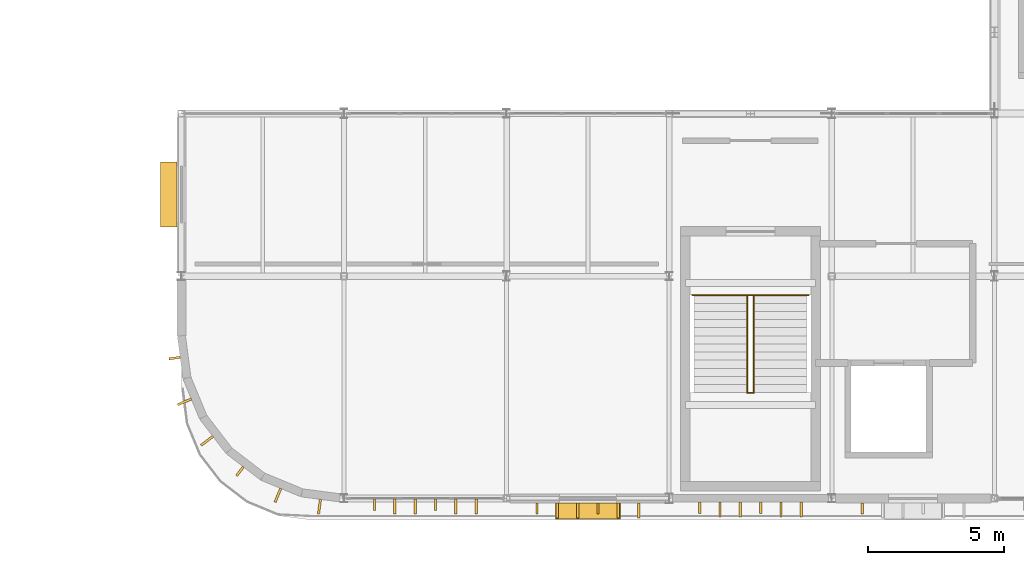
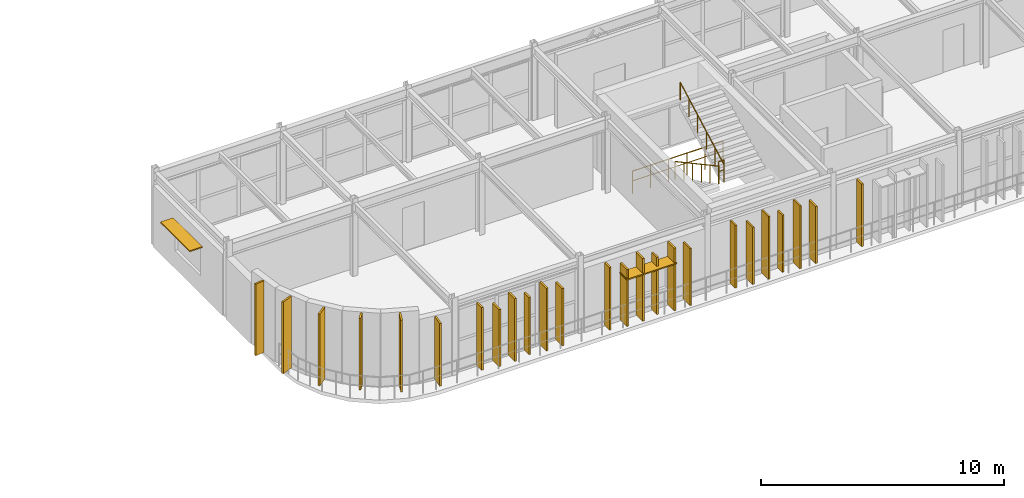
# One storey, part 59 of 63: 25 coverings, 4 railings, 2 shading devices.
"""IFC4 building model written with IfcOpenShell, lengths in metres."""

from ifc_helpers import new_model, si_unit, direction, frame, origin, origin_2d, place, context, subcontext, project, spatial, rectangle, circle, extrude, material, layer, layer_set, type_object, element, save


model = new_model("IFC4")

# Units and contexts
model_context = context("Model", 3, precision=1e-05, world=origin(), true_north=direction((0.0, 1.0)))
body_context = subcontext(model_context, "Body", "Model", "MODEL_VIEW")
ifc_project = project(units=[si_unit("LENGTHUNIT", "METRE"), si_unit("AREAUNIT", "SQUARE_METRE"), si_unit("VOLUMEUNIT", "CUBIC_METRE"), si_unit("PLANEANGLEUNIT", "RADIAN"), si_unit("MASSUNIT", "GRAM", prefix="KILO")], contexts=[model_context])

# Site, building, storey
site_placement = place(None, origin())
site = spatial("IfcSite", under=ifc_project, at=site_placement, CompositionType="ELEMENT")
building_placement = place(site_placement, origin())
building = spatial("IfcBuilding", under=site, at=building_placement, Name="Varnakota Square Police Headquarters", CompositionType="ELEMENT")
storey_placement = place(building_placement, frame((0.0, 0.0, 22.199951171875)))
storey = spatial("IfcBuildingStorey", under=building, at=storey_placement, Name="L05", CompositionType="ELEMENT", Elevation=22.199951171875)

# Coverings
ifc_material_1 = material(Name="White Anodised Aluminium Vertical Facade Blade 420", Category="aluminium")
ifc_layer_1 = layer(ifc_material_1, 0.0849609375, Name="White Anodised Aluminium Vertical Facade Blade 420")
ifc_layer_set_1 = layer_set([ifc_layer_1], Name="White Anodised Aluminium Vertical Facade Blade 420")
covering_type_1 = type_object("IfcCoveringType", Name="COV-FIN-420", PredefinedType="CLADDING", material=ifc_layer_set_1)
covering_1_placement = place(storey_placement, frame((115.125, 0.5625, 0.0400390625), z_axis=(0.0, 0.0, 1.0), x_axis=(1.0, 0.0, 0.0)))
element("IfcCovering", 1, at=covering_1_placement, inside=storey, type_object=covering_type_1, Name="Vertical aluminium facade fin FIN-0625", PredefinedType="CLADDING", context=body_context, shape_type="SweptSolid", body=[
    extrude(rectangle(XDim=0.0849609375, YDim=0.419921875, at=origin_2d()), origin(), (0.0, 0.0, 1.0), 3.14990234375),
])
covering_2_placement = place(storey_placement, frame((117.375, 0.5625, 0.0400390625), z_axis=(0.0, 0.0, 1.0), x_axis=(1.0, 0.0, 0.0)))
element("IfcCovering", 2, at=covering_2_placement, inside=storey, type_object=covering_type_1, Name="Vertical aluminium facade fin FIN-0628", PredefinedType="CLADDING", context=body_context, shape_type="SweptSolid", body=[
    extrude(rectangle(XDim=0.0849609375, YDim=0.419921875, at=origin_2d()), origin(), (0.0, 0.0, 1.0), 2.8701171875),
])
covering_3_placement = place(storey_placement, frame((121.125, 0.425048828125, 0.0400390625), z_axis=(0.0, 0.0, 1.0), x_axis=(1.0, 0.0, 0.0)))
element("IfcCovering", 3, at=covering_3_placement, inside=storey, type_object=covering_type_1, Name="Vertical aluminium facade fin FIN-0631", PredefinedType="CLADDING", context=body_context, shape_type="SweptSolid", body=[
    extrude(rectangle(XDim=0.0849609375, YDim=0.419921875, at=origin_2d()), origin(), (0.0, 0.0, 1.0), 3.14990234375),
])
covering_4_placement = place(storey_placement, frame((123.375, 0.425048828125, 0.0400390625), z_axis=(0.0, 0.0, 1.0), x_axis=(1.0, 0.0, 0.0)))
element("IfcCovering", 4, at=covering_4_placement, inside=storey, type_object=covering_type_1, Name="Vertical aluminium facade fin FIN-0634", PredefinedType="CLADDING", context=body_context, shape_type="SweptSolid", body=[
    extrude(rectangle(XDim=0.0849609375, YDim=0.419921875, at=origin_2d()), origin(), (0.0, 0.0, 1.0), 2.8701171875),
])
covering_5_placement = place(storey_placement, frame((127.125, 0.455078125, 0.0400390625), z_axis=(0.0, 0.0, 1.0), x_axis=(1.0, 0.0, 0.0)))
element("IfcCovering", 5, at=covering_5_placement, inside=storey, type_object=covering_type_1, Name="Vertical aluminium facade fin FIN-0637", PredefinedType="CLADDING", context=body_context, shape_type="SweptSolid", body=[
    extrude(rectangle(XDim=0.0849609375, YDim=0.419921875, at=origin_2d()), origin(), (0.0, 0.0, 1.0), 3.14990234375),
])
covering_6_placement = place(storey_placement, frame((129.375, 0.455078125, 0.0400390625), z_axis=(0.0, 0.0, 1.0), x_axis=(1.0, 0.0, 0.0)))
element("IfcCovering", 6, at=covering_6_placement, inside=storey, type_object=covering_type_1, Name="Vertical aluminium facade fin FIN-0640", PredefinedType="CLADDING", context=body_context, shape_type="SweptSolid", body=[
    extrude(rectangle(XDim=0.0849609375, YDim=0.419921875, at=origin_2d()), origin(), (0.0, 0.0, 1.0), 2.8701171875),
])
covering_7_placement = place(storey_placement, frame((133.125, 0.425048828125, 0.0400390625), z_axis=(0.0, 0.0, 1.0), x_axis=(1.0, 0.0, 0.0)))
element("IfcCovering", 7, at=covering_7_placement, inside=storey, type_object=covering_type_1, Name="Vertical aluminium facade fin FIN-0643", PredefinedType="CLADDING", context=body_context, shape_type="SweptSolid", body=[
    extrude(rectangle(XDim=0.0849609375, YDim=0.419921875, at=origin_2d()), origin(), (0.0, 0.0, 1.0), 3.14990234375),
])
for number, where, z_axis, x_axis, name in (
    (8, (107.750244140625, 5.977294921875, 0.0400390625), (0.0, 0.0, 1.0), (0.13052619222, -0.991444861374, 0.0), "Vertical aluminium facade fin FIN-0706"),
    (9, (110.16259765625, 1.799072265625, 0.0400390625), (0.0, 0.0, 1.0), (0.793353340291, -0.608761429009, 0.0), "Vertical aluminium facade fin FIN-0709"),
):
    element("IfcCovering", number, at=place(storey_placement, frame(where, z_axis=z_axis, x_axis=x_axis)), inside=storey, type_object=covering_type_1, Name=name, PredefinedType="CLADDING", context=body_context, shape_type="SweptSolid", body=[
        extrude(rectangle(XDim=0.0849609375, YDim=0.419921875, at=origin_2d()), origin(), (0.0, 0.0, 1.0), 3.60498046875),
    ])
ifc_material_2 = material(Name="White Anodised Aluminium Vertical Facade Blade 550", Category="aluminium")
ifc_layer_2 = layer(ifc_material_2, 0.0849609375, Name="White Anodised Aluminium Vertical Facade Blade 550")
ifc_layer_set_2 = layer_set([ifc_layer_2], Name="White Anodised Aluminium Vertical Facade Blade 550")
covering_type_2 = type_object("IfcCoveringType", Name="COV-FIN-550", PredefinedType="CLADDING", material=ifc_layer_set_2)
covering_8_placement = place(storey_placement, frame((115.875, 0.49755859375, 0.0400390625), z_axis=(0.0, 0.0, 1.0), x_axis=(1.0, 0.0, 0.0)))
element("IfcCovering", 10, at=covering_8_placement, inside=storey, type_object=covering_type_2, Name="Vertical aluminium facade fin FIN-0626", PredefinedType="CLADDING", context=body_context, shape_type="SweptSolid", body=[
    extrude(rectangle(XDim=0.0849609375, YDim=0.550048828125, at=origin_2d()), origin(), (0.0, 0.0, 1.0), 2.8701171875),
])
for number, where, z_axis, x_axis, name in (
    (11, (116.625, 0.49755859375, 0.0400390625), (0.0, 0.0, 1.0), (1.0, 0.0, 0.0), "Vertical aluminium facade fin FIN-0627"),
    (12, (118.125, 0.49755859375, 0.0400390625), (0.0, 0.0, 1.0), (1.0, 0.0, 0.0), "Vertical aluminium facade fin FIN-0629"),
):
    element("IfcCovering", number, at=place(storey_placement, frame(where, z_axis=z_axis, x_axis=x_axis)), inside=storey, type_object=covering_type_2, Name=name, PredefinedType="CLADDING", context=body_context, shape_type="SweptSolid", body=[
        extrude(rectangle(XDim=0.0849609375, YDim=0.550048828125, at=origin_2d()), origin(), (0.0, 0.0, 1.0), 3.14990234375),
    ])
for number, where, z_axis, x_axis, name in (
    (13, (118.875, 0.49755859375, 0.0400390625), (0.0, 0.0, 1.0), (1.0, 0.0, 0.0), "Vertical aluminium facade fin FIN-0630"),
    (14, (121.875, 0.360107421875, 0.0400390625), (0.0, 0.0, 1.0), (1.0, 0.0, 0.0), "Vertical aluminium facade fin FIN-0632"),
):
    element("IfcCovering", number, at=place(storey_placement, frame(where, z_axis=z_axis, x_axis=x_axis)), inside=storey, type_object=covering_type_2, Name=name, PredefinedType="CLADDING", context=body_context, shape_type="SweptSolid", body=[
        extrude(rectangle(XDim=0.0849609375, YDim=0.550048828125, at=origin_2d()), origin(), (0.0, 0.0, 1.0), 2.8701171875),
    ])
for number, where, z_axis, x_axis, name in (
    (15, (122.625, 0.360107421875, 0.0400390625), (0.0, 0.0, 1.0), (1.0, 0.0, 0.0), "Vertical aluminium facade fin FIN-0633"),
    (16, (124.125, 0.360107421875, 0.0400390625), (0.0, 0.0, 1.0), (1.0, 0.0, 0.0), "Vertical aluminium facade fin FIN-0635"),
):
    element("IfcCovering", number, at=place(storey_placement, frame(where, z_axis=z_axis, x_axis=x_axis)), inside=storey, type_object=covering_type_2, Name=name, PredefinedType="CLADDING", context=body_context, shape_type="SweptSolid", body=[
        extrude(rectangle(XDim=0.0849609375, YDim=0.550048828125, at=origin_2d()), origin(), (0.0, 0.0, 1.0), 3.14990234375),
    ])
for number, where, z_axis, x_axis, name in (
    (17, (124.875, 0.360107421875, 0.0400390625), (0.0, 0.0, 1.0), (1.0, 0.0, 0.0), "Vertical aluminium facade fin FIN-0636"),
    (18, (127.875, 0.389892578125, 0.0400390625), (0.0, 0.0, 1.0), (1.0, 0.0, 0.0), "Vertical aluminium facade fin FIN-0638"),
):
    element("IfcCovering", number, at=place(storey_placement, frame(where, z_axis=z_axis, x_axis=x_axis)), inside=storey, type_object=covering_type_2, Name=name, PredefinedType="CLADDING", context=body_context, shape_type="SweptSolid", body=[
        extrude(rectangle(XDim=0.0849609375, YDim=0.550048828125, at=origin_2d()), origin(), (0.0, 0.0, 1.0), 2.8701171875),
    ])
for number, where, z_axis, x_axis, name in (
    (19, (128.625, 0.389892578125, 0.0400390625), (0.0, 0.0, 1.0), (1.0, 0.0, 0.0), "Vertical aluminium facade fin FIN-0639"),
    (20, (130.125, 0.389892578125, 0.0400390625), (0.0, 0.0, 1.0), (1.0, 0.0, 0.0), "Vertical aluminium facade fin FIN-0641"),
):
    element("IfcCovering", number, at=place(storey_placement, frame(where, z_axis=z_axis, x_axis=x_axis)), inside=storey, type_object=covering_type_2, Name=name, PredefinedType="CLADDING", context=body_context, shape_type="SweptSolid", body=[
        extrude(rectangle(XDim=0.0849609375, YDim=0.550048828125, at=origin_2d()), origin(), (0.0, 0.0, 1.0), 3.14990234375),
    ])
covering_9_placement = place(storey_placement, frame((130.875, 0.389892578125, 0.0400390625), z_axis=(0.0, 0.0, 1.0), x_axis=(1.0, 0.0, 0.0)))
element("IfcCovering", 21, at=covering_9_placement, inside=storey, type_object=covering_type_2, Name="Vertical aluminium facade fin FIN-0642", PredefinedType="CLADDING", context=body_context, shape_type="SweptSolid", body=[
    extrude(rectangle(XDim=0.0849609375, YDim=0.550048828125, at=origin_2d()), origin(), (0.0, 0.0, 1.0), 2.8701171875),
])
for number, where, z_axis, x_axis, name in (
    (22, (108.1162109375, 4.36279296875, 0.0400390625), (0.0, 0.0, 1.0), (0.382683432365, -0.923879532511, 0.0), "Vertical aluminium facade fin FIN-0707"),
    (23, (108.947509765625, 2.923095703125, 0.0400390625), (0.0, 0.0, 1.0), (0.608761429009, -0.793353340291, 0.0), "Vertical aluminium facade fin FIN-0708"),
    (24, (111.562744140625, 0.916015625, 0.0400390625), (0.0, 0.0, 1.0), (0.923879532511, -0.382683432365, 0.0), "Vertical aluminium facade fin FIN-0710"),
):
    element("IfcCovering", number, at=place(storey_placement, frame(where, z_axis=z_axis, x_axis=x_axis)), inside=storey, type_object=covering_type_2, Name=name, PredefinedType="CLADDING", context=body_context, shape_type="SweptSolid", body=[
        extrude(rectangle(XDim=0.0849609375, YDim=0.550048828125, at=origin_2d()), origin(), (0.0, 0.0, 1.0), 3.60498046875),
    ])
covering_10_placement = place(storey_placement, frame((113.095703125, 0.495361328125, 0.0400390625), z_axis=(0.0, 0.0, 1.0), x_axis=(0.991444861374, -0.13052619222, 0.0)))
element("IfcCovering", 25, at=covering_10_placement, inside=storey, type_object=covering_type_2, Name="Vertical aluminium facade fin FIN-0711", PredefinedType="CLADDING", context=body_context, shape_type="SweptSolid", body=[
    extrude(rectangle(XDim=0.0849609375, YDim=0.550048828125, at=origin_2d()), origin(), (0.0, 0.0, 1.0), 3.14990234375),
])

# Railings
ifc_material_3 = material(Name="Brushed Stainless Steel Tubular Handrail", Category="steel")
railing_type_1 = type_object("IfcRailingType", Name="RL-HND-920", PredefinedType="HANDRAIL", material=ifc_material_3)
railing_1_placement = place(storey_placement, frame((128.8798828125, 8.300048828125, 0.0)))
element("IfcRailing", 26, at=railing_1_placement, inside=storey, type_object=railing_type_1, Name="Stair flight handrail HR-L05-011", PredefinedType="HANDRAIL", context=body_context, shape_type="SweptSolid", body=[
    extrude(circle(Radius=0.02392578125, at=origin_2d()), frame((0.0, 0.0, 0.89599609375), z_axis=(0.0, -0.879329418667, 0.476213999654), x_axis=(1.0, 0.0, 0.0)), (0.0, 0.0, 1.0), 4.0947265625),
    extrude(circle(Radius=0.02099609375, at=origin_2d()), origin(), (0.0, 0.0, 1.0), 0.871826171875),
    extrude(circle(Radius=0.02099609375, at=origin_2d()), frame((0.0, -0.72021484375, 0.389892578125)), (0.0, 0.0, 1.0), 0.871826171875),
    extrude(circle(Radius=0.02099609375, at=origin_2d()), frame((0.0, -1.440185546875, 0.780029296875)), (0.0, 0.0, 1.0), 0.871826171875),
    extrude(circle(Radius=0.02099609375, at=origin_2d()), frame((0.0, -2.160400390625, 1.169921875)), (0.0, 0.0, 1.0), 0.871826171875),
    extrude(circle(Radius=0.02099609375, at=origin_2d()), frame((0.0, -2.88037109375, 1.56005859375)), (0.0, 0.0, 1.0), 0.871826171875),
    extrude(circle(Radius=0.02099609375, at=origin_2d()), frame((0.0, -3.6005859375, 1.949951171875)), (0.0, 0.0, 1.0), 0.871826171875),
])
railing_2_placement = place(storey_placement, frame((129.1201171875, 4.699462890625, 1.949951171875)))
element("IfcRailing", 27, at=railing_2_placement, inside=storey, type_object=railing_type_1, Name="Stair flight handrail HR-L05-012", PredefinedType="HANDRAIL", context=body_context, shape_type="SweptSolid", body=[
    extrude(circle(Radius=0.02392578125, at=origin_2d()), frame((0.0, 0.0, 0.89599609375), z_axis=(0.0, 0.87930445083, 0.476260099894), x_axis=(-1.0, 0.0, 0.0)), (0.0, 0.0, 1.0), 4.0947265625),
    extrude(circle(Radius=0.02099609375, at=origin_2d()), origin(), (0.0, 0.0, 1.0), 0.871826171875),
    extrude(circle(Radius=0.02099609375, at=origin_2d()), frame((0.0, 0.72021484375, 0.39013671875)), (0.0, 0.0, 1.0), 0.871826171875),
    extrude(circle(Radius=0.02099609375, at=origin_2d()), frame((0.0, 1.440185546875, 0.780029296875)), (0.0, 0.0, 1.0), 0.871826171875),
    extrude(circle(Radius=0.02099609375, at=origin_2d()), frame((0.0, 2.160400390625, 1.170166015625)), (0.0, 0.0, 1.0), 0.871826171875),
    extrude(circle(Radius=0.02099609375, at=origin_2d()), frame((0.0, 2.88037109375, 1.56005859375)), (0.0, 0.0, 1.0), 0.871826171875),
    extrude(circle(Radius=0.02099609375, at=origin_2d()), frame((0.0, 3.6005859375, 1.9501953125)), (0.0, 0.0, 1.0), 0.871826171875),
])
ifc_material_4 = material(Name="Laminated Glass and Stainless Steel Balustrade", Category="steel")
railing_type_2 = type_object("IfcRailingType", Name="RL-INT-1150", PredefinedType="BALUSTRADE", material=ifc_material_4)
railing_3_placement = place(storey_placement, frame((126.840087890625, 8.300048828125, 0.0)))
element("IfcRailing", 28, at=railing_3_placement, inside=storey, type_object=railing_type_2, Name="Stair well safety guard C1 L05", PredefinedType="BALUSTRADE", context=body_context, shape_type="SweptSolid", body=[
    extrude(circle(Radius=0.02392578125, at=origin_2d()), frame((0.0, 0.0, 1.1259765625), z_axis=(1.0, 0.0, 0.0), x_axis=(0.0, 1.0, 0.0)), (0.0, 0.0, 1.0), 4.31982421875),
    extrude(circle(Radius=0.01806640625, at=origin_2d()), frame((0.0, 0.0, 0.63232421875), z_axis=(1.0, 0.0, 0.0), x_axis=(0.0, 1.0, 0.0)), (0.0, 0.0, 1.0), 4.31982421875),
    extrude(circle(Radius=0.02099609375, at=origin_2d()), origin(), (0.0, 0.0, 1.0), 1.101806640625),
    extrude(circle(Radius=0.02099609375, at=origin_2d()), frame((0.864013671875, 0.0, 0.0)), (0.0, 0.0, 1.0), 1.101806640625),
    extrude(circle(Radius=0.02099609375, at=origin_2d()), frame((1.72802734375, 0.0, 0.0)), (0.0, 0.0, 1.0), 1.101806640625),
    extrude(circle(Radius=0.02099609375, at=origin_2d()), frame((2.591796875, 0.0, 0.0)), (0.0, 0.0, 1.0), 1.101806640625),
    extrude(circle(Radius=0.02099609375, at=origin_2d()), frame((3.455810546875, 0.0, 0.0)), (0.0, 0.0, 1.0), 1.101806640625),
    extrude(circle(Radius=0.02099609375, at=origin_2d()), frame((4.31982421875, 0.0, 0.0)), (0.0, 0.0, 1.0), 1.101806640625),
])
railing_4_placement = place(storey_placement, frame((128.869873046875, 4.699462890625, 1.949951171875)))
element("IfcRailing", 29, at=railing_4_placement, inside=storey, type_object=railing_type_2, Name="Half-landing well guard C1 L05", PredefinedType="BALUSTRADE", context=body_context, shape_type="SweptSolid", body=[
    extrude(circle(Radius=0.02392578125, at=origin_2d()), frame((0.0, 0.0, 1.1259765625), z_axis=(1.0, 0.0, 0.0), x_axis=(0.0, 1.0, 0.0)), (0.0, 0.0, 1.0), 0.26025390625),
    extrude(circle(Radius=0.01806640625, at=origin_2d()), frame((0.0, 0.0, 0.63232421875), z_axis=(1.0, 0.0, 0.0), x_axis=(0.0, 1.0, 0.0)), (0.0, 0.0, 1.0), 0.26025390625),
    extrude(circle(Radius=0.02099609375, at=origin_2d()), origin(), (0.0, 0.0, 1.0), 1.101806640625),
    extrude(circle(Radius=0.02099609375, at=origin_2d()), frame((0.26025390625, 0.0, 0.0)), (0.0, 0.0, 1.0), 1.101806640625),
])

# Shading devices
ifc_material_5 = material(Name="Anodised Aluminium Horizontal Brise-Soleil", Category="aluminium")
ifc_layer_3 = layer(ifc_material_5, 0.06005859375, Name="Anodised Aluminium Horizontal Brise-Soleil")
ifc_layer_set_3 = layer_set([ifc_layer_3], Name="Anodised Aluminium Horizontal Brise-Soleil")
shading_device_type = type_object("IfcShadingDeviceType", Name="SHD-JAL-600", PredefinedType="JALOUSIE", material=ifc_layer_set_3)
for number, where, z_axis, x_axis, name in (
    (30, (123.0, 0.33203125, 2.39990234375), (0.0, 0.0, 1.0), (1.0, 0.0, 0.0), "Horizontal sunshade SHD-031"),
    (31, (107.531982421875, 12.012451171875, 2.39990234375), (0.0, 0.0, 1.0), (0.0, 1.0, 0.0), "Horizontal sunshade SHD-034"),
):
    element("IfcShadingDevice", number, at=place(storey_placement, frame(where, z_axis=z_axis, x_axis=x_axis)), inside=storey, type_object=shading_device_type, Name=name, PredefinedType="JALOUSIE", context=body_context, shape_type="SweptSolid", body=[
        extrude(rectangle(XDim=2.39990234375, YDim=0.60009765625, at=origin_2d()), origin(), (0.0, 0.0, 1.0), 0.06005859375),
    ])

save(model, "model.ifc")
